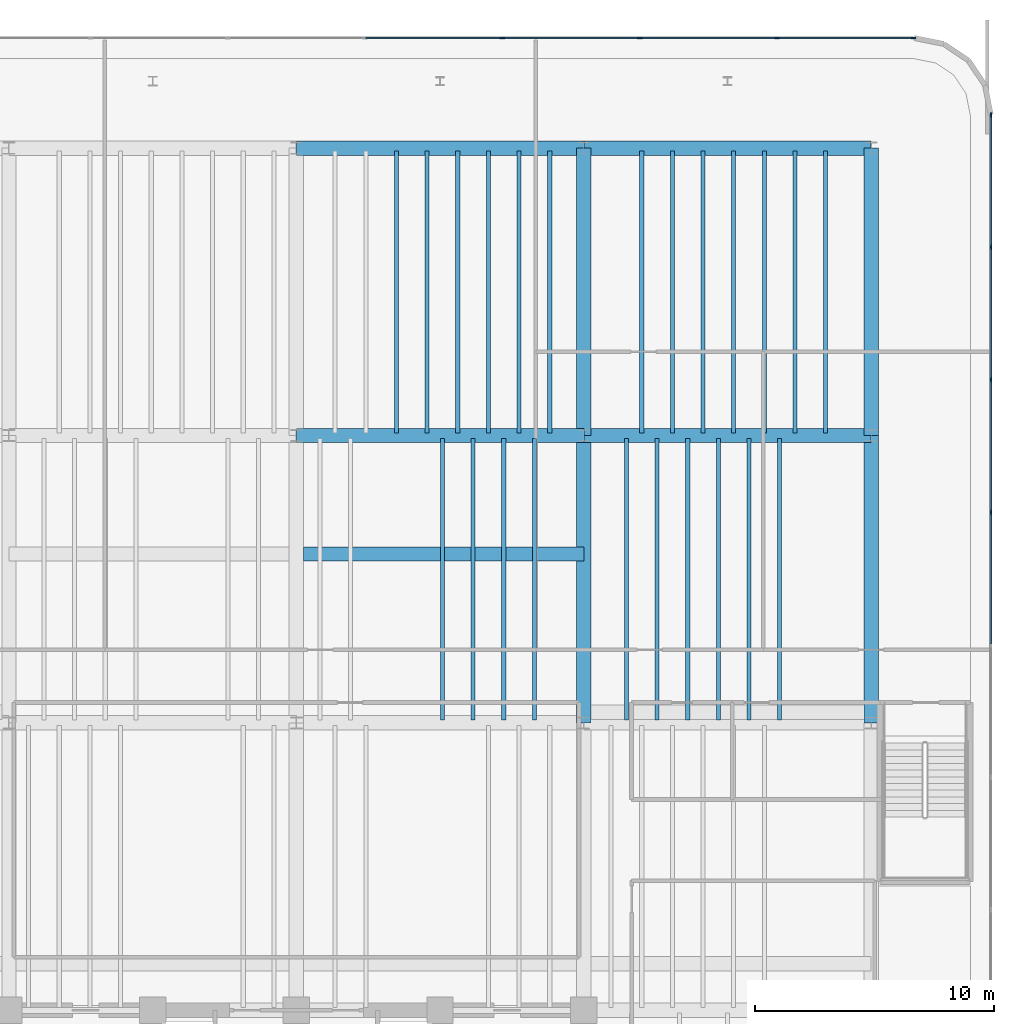
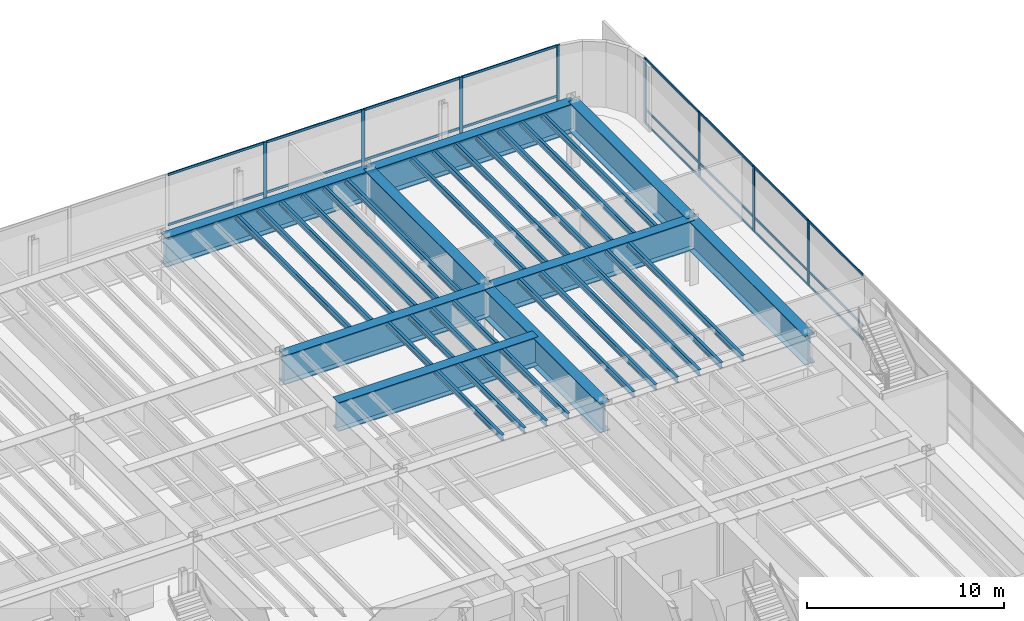
# One storey, part 10 of 19: 32 beams, 32 members, 2 elements without a shape of their own.
"""IFC4 building model written with IfcOpenShell, lengths in metres."""

from ifc_helpers import new_model, si_unit, direction, frame, origin, origin_2d, place, context, subcontext, project, spatial, rectangle, i_section, extrude, source, transform, mapped, material, layer, layer_set, material_profile, profile_set, type_object, element, aggregate, save


model = new_model("IFC4")

# Units and contexts
model_context = context("Model", 3, precision=1e-05, world=origin(), true_north=direction((0.0, 1.0)))
body_context = subcontext(model_context, "Body", "Model", "MODEL_VIEW")
ifc_project = project(units=[si_unit("LENGTHUNIT", "METRE"), si_unit("AREAUNIT", "SQUARE_METRE"), si_unit("VOLUMEUNIT", "CUBIC_METRE"), si_unit("PLANEANGLEUNIT", "RADIAN"), si_unit("MASSUNIT", "GRAM", prefix="KILO")], contexts=[model_context])

# Site, building, storey
site_placement = place(None, origin())
site = spatial("IfcSite", under=ifc_project, at=site_placement, CompositionType="ELEMENT")
building_placement = place(site_placement, origin())
building = spatial("IfcBuilding", under=site, at=building_placement, Name="Brelvock Crest Care Tower", CompositionType="ELEMENT")
storey_placement = place(building_placement, frame((0.0, 0.0, 18.360107421875)))
storey = spatial("IfcBuildingStorey", under=building, at=storey_placement, Name="L04", CompositionType="ELEMENT", Elevation=18.360107421875)

# Beams
ifc_material_1 = material(Name="Steel Grade 350", Category="steel")
ifc_material_profile_1 = material_profile(ifc_material_1, i_section(OverallWidth=0.172119140625, OverallDepth=0.35888671875, WebThickness=0.008056640625, FlangeThickness=0.012939453125, FilletRadius=0.011474609375, at=origin_2d()), Name="360UB56.7")
ifc_profile_set_1 = profile_set([ifc_material_profile_1], Name="Steel Grade 350")
beam_type_1 = type_object("IfcBeamType", Name="BM-J1", PredefinedType="JOIST", material=ifc_profile_set_1)
shared_shape_1 = source(origin(), body_context, "Body", "SweptSolid", [
    extrude(i_section(OverallWidth=0.172119140625, OverallDepth=0.35888671875, WebThickness=0.008056640625, FlangeThickness=0.012939453125, FilletRadius=0.011474609375, at=origin_2d()), origin(), (0.0, 0.0, 1.0), 11.77001953125),
])
for number, where, z_axis, x_axis, name in (
    (1, (40.179931640625, 42.114990234375, 3.8603515625), (0.0, 1.0, 0.0), (-1.0, 0.0, 0.0), "BM-PODJ-L04-4018-42"),
    (2, (42.10009765625, 30.114990234375, 3.8603515625), (0.0, 1.0, 0.0), (-1.0, 0.0, 0.0), "BM-PODJ-L04-4210-30"),
    (3, (41.4599609375, 42.114990234375, 3.8603515625), (0.0, 1.0, 0.0), (-1.0, 0.0, 0.0), "BM-PODJ-L04-4146-42"),
    (4, (43.3798828125, 30.114990234375, 3.8603515625), (0.0, 1.0, 0.0), (-1.0, 0.0, 0.0), "BM-PODJ-L04-4338-30"),
    (5, (42.739990234375, 42.114990234375, 3.8603515625), (0.0, 1.0, 0.0), (-1.0, 0.0, 0.0), "BM-PODJ-L04-4274-42"),
    (6, (44.659912109375, 30.114990234375, 3.8603515625), (0.0, 1.0, 0.0), (-1.0, 0.0, 0.0), "BM-PODJ-L04-4466-30"),
    (7, (44.02001953125, 42.114990234375, 3.8603515625), (0.0, 1.0, 0.0), (-1.0, 0.0, 0.0), "BM-PODJ-L04-4402-42"),
    (8, (45.93994140625, 30.114990234375, 3.8603515625), (0.0, 1.0, 0.0), (-1.0, 0.0, 0.0), "BM-PODJ-L04-4594-30"),
    (9, (45.300048828125, 42.114990234375, 3.8603515625), (0.0, 1.0, 0.0), (-1.0, 0.0, 0.0), "BM-PODJ-L04-4530-42"),
    (10, (46.580078125, 42.114990234375, 3.8603515625), (0.0, 1.0, 0.0), (-1.0, 0.0, 0.0), "BM-PODJ-L04-4658-42"),
    (11, (49.780029296875, 30.114990234375, 3.8603515625), (0.0, 1.0, 0.0), (-1.0, 0.0, 0.0), "BM-PODJ-L04-4978-30"),
    (12, (51.06005859375, 30.114990234375, 3.8603515625), (0.0, 1.0, 0.0), (-1.0, 0.0, 0.0), "BM-PODJ-L04-5106-30"),
    (13, (50.419921875, 42.114990234375, 3.8603515625), (0.0, 1.0, 0.0), (-1.0, 0.0, 0.0), "BM-PODJ-L04-5042-42"),
    (14, (52.340087890625, 30.114990234375, 3.8603515625), (0.0, 1.0, 0.0), (-1.0, 0.0, 0.0), "BM-PODJ-L04-5234-30"),
    (15, (51.699951171875, 42.114990234375, 3.8603515625), (0.0, 1.0, 0.0), (-1.0, 0.0, 0.0), "BM-PODJ-L04-5170-42"),
    (16, (53.6201171875, 30.114990234375, 3.8603515625), (0.0, 1.0, 0.0), (-1.0, 0.0, 0.0), "BM-PODJ-L04-5362-30"),
    (17, (52.97998046875, 42.114990234375, 3.8603515625), (0.0, 1.0, 0.0), (-1.0, 0.0, 0.0), "BM-PODJ-L04-5298-42"),
    (18, (54.89990234375, 30.114990234375, 3.8603515625), (0.0, 1.0, 0.0), (-1.0, 0.0, 0.0), "BM-PODJ-L04-5490-30"),
    (19, (54.260009765625, 42.114990234375, 3.8603515625), (0.0, 1.0, 0.0), (-1.0, 0.0, 0.0), "BM-PODJ-L04-5426-42"),
    (20, (56.179931640625, 30.114990234375, 3.8603515625), (0.0, 1.0, 0.0), (-1.0, 0.0, 0.0), "BM-PODJ-L04-5618-30"),
    (21, (55.5400390625, 42.114990234375, 3.8603515625), (0.0, 1.0, 0.0), (-1.0, 0.0, 0.0), "BM-PODJ-L04-5554-42"),
    (22, (56.820068359375, 42.114990234375, 3.8603515625), (0.0, 1.0, 0.0), (-1.0, 0.0, 0.0), "BM-PODJ-L04-5682-42"),
    (23, (58.10009765625, 42.114990234375, 3.8603515625), (0.0, 1.0, 0.0), (-1.0, 0.0, 0.0), "BM-PODJ-L04-5810-42"),
):
    element("IfcBeam", number, at=place(storey_placement, frame(where, z_axis=z_axis, x_axis=x_axis)), inside=storey, type_object=beam_type_1, Name=name, PredefinedType="JOIST", context=body_context, shape_type="MappedRepresentation", body=[
        mapped(shared_shape_1, transform((0.0, 0.0, 0.0), x_axis=(1.0, 0.0, 0.0), y_axis=(0.0, 1.0, 0.0), z_axis=(0.0, 0.0, 1.0), scale=1.0)),
    ])
ifc_material_profile_2 = material_profile(ifc_material_1, i_section(OverallWidth=0.60009765625, OverallDepth=1.800048828125, WebThickness=0.028076171875, FlangeThickness=0.052001953125, at=origin_2d()), Name="1800TG740")
ifc_profile_set_2 = profile_set([ifc_material_profile_2], Name="Steel Grade 350")
beam_type_2 = type_object("IfcBeamType", Name="BM-TG1", PredefinedType="USERDEFINED", material=ifc_profile_set_2)
shared_shape_2 = source(origin(), body_context, "Body", "SweptSolid", [
    extrude(i_section(OverallWidth=0.60009765625, OverallDepth=1.800048828125, WebThickness=0.028076171875, FlangeThickness=0.052001953125, at=origin_2d()), origin(), (0.0, 0.0, 1.0), 12.0),
])
for number, where, z_axis, x_axis, name in (
    (24, (36.0, 42.0, 3.139892578125), (1.0, 0.0, 0.0), (0.0, 1.0, 0.0), "BM-PODX-L04-42-36"),
    (25, (48.0, 42.0, 3.139892578125), (1.0, 0.0, 0.0), (0.0, 1.0, 0.0), "BM-PODX-L04-42-48"),
    (26, (36.0, 54.0, 3.139892578125), (1.0, 0.0, 0.0), (0.0, 1.0, 0.0), "BM-PODX-L04-54-36"),
    (27, (48.0, 54.0, 3.139892578125), (1.0, 0.0, 0.0), (0.0, 1.0, 0.0), "BM-PODX-L04-54-48"),
    (28, (48.0, 30.0, 3.139892578125), (0.0, 1.0, 0.0), (-1.0, 0.0, 0.0), "BM-PODY-L04-48-30"),
    (29, (48.0, 42.0, 3.139892578125), (0.0, 1.0, 0.0), (-1.0, 0.0, 0.0), "BM-PODY-L04-48-42"),
    (30, (60.0, 30.0, 3.139892578125), (0.0, 1.0, 0.0), (-1.0, 0.0, 0.0), "BM-PODY-L04-60-30"),
    (31, (60.0, 42.0, 3.139892578125), (0.0, 1.0, 0.0), (-1.0, 0.0, 0.0), "BM-PODY-L04-60-42"),
):
    element("IfcBeam", number, at=place(storey_placement, frame(where, z_axis=z_axis, x_axis=x_axis)), inside=storey, type_object=beam_type_2, Name=name, ObjectType="GIRDER", PredefinedType="USERDEFINED", context=body_context, shape_type="MappedRepresentation", body=[
        mapped(shared_shape_2, transform((0.0, 0.0, 0.0), x_axis=(1.0, 0.0, 0.0), y_axis=(0.0, 1.0, 0.0), z_axis=(0.0, 0.0, 1.0), scale=1.0)),
    ])
shared_shape_3 = source(origin(), body_context, "Body", "SweptSolid", [
    extrude(i_section(OverallWidth=0.60009765625, OverallDepth=1.800048828125, WebThickness=0.028076171875, FlangeThickness=0.052001953125, at=origin_2d()), origin(), (0.0, 0.0, 1.0), 11.699951171875),
])
beam_placement = place(storey_placement, frame((36.300048828125, 37.050048828125, 3.139892578125), z_axis=(1.0, 0.0, 0.0), x_axis=(0.0, 1.0, 0.0)))
element("IfcBeam", 32, at=beam_placement, inside=storey, type_object=beam_type_2, Name="BM-TG04-Y37-E", ObjectType="GIRDER", PredefinedType="USERDEFINED", context=body_context, shape_type="MappedRepresentation", body=[
    mapped(shared_shape_3, transform((0.0, 0.0, 0.0), x_axis=(1.0, 0.0, 0.0), y_axis=(0.0, 1.0, 0.0), z_axis=(0.0, 0.0, 1.0), scale=1.0)),
])

# Curtain wall, members
ifc_material_2 = material(Name="Dark Glass Double Glazed Low-E", Category="glass")
ifc_layer = layer(ifc_material_2, 0.179931640625, Name="CWS-1")
ifc_layer_set = layer_set([ifc_layer], Name="Dark Glass Double Glazed Low-E")
curtain_wall_type = type_object("IfcCurtainWallType", Name="CWS-1", PredefinedType="NOTDEFINED", material=ifc_layer_set)
curtain_wall_1_placement = place(storey_placement, origin())
curtain_wall_1 = element("IfcCurtainWall", 33, at=curtain_wall_1_placement, inside=storey, type_object=curtain_wall_type, Name="L04 Curtain Wall E14", PredefinedType="NOTDEFINED")
ifc_material_3 = material(Name="Aluminium 6063-T6", Category="aluminium")
ifc_material_profile_3 = material_profile(ifc_material_3, rectangle(XDim=0.06494140625, YDim=0.14990234375, at=origin_2d()), Name="ALU65x150")
ifc_profile_set_3 = profile_set([ifc_material_profile_3], Name="Aluminium 6063-T6")
member_type_1 = type_object("IfcMemberType", Name="CWT-1", PredefinedType="USERDEFINED", material=ifc_profile_set_3)
shared_shape_4 = source(origin(), body_context, "Body", "SweptSolid", [
    extrude(rectangle(XDim=0.06494140625, YDim=0.14990234375, at=origin_2d()), origin(), (0.0, 0.0, 1.0), 5.435791015625),
])
member_1_placement = place(storey_placement, frame((65.0, 55.3349609375, 0.032470703125), z_axis=(0.0, -1.0, 0.0), x_axis=(1.0, 0.0, 0.0)))
member_1 = element("IfcMember", 34, at=member_1_placement, type_object=member_type_1, Name="CW-1 transom 1.1", ObjectType="TRANSOM", PredefinedType="USERDEFINED", context=body_context, shape_type="MappedRepresentation", body=[
    mapped(shared_shape_4, transform((0.0, 0.0, 0.0), x_axis=(1.0, 0.0, 0.0), y_axis=(0.0, 1.0, 0.0), z_axis=(0.0, 0.0, 1.0), scale=1.0)),
])
member_2_placement = place(storey_placement, frame((65.0, 55.3349609375, 0.89990234375), z_axis=(0.0, -1.0, 0.0), x_axis=(1.0, 0.0, 0.0)))
member_2 = element("IfcMember", 35, at=member_2_placement, type_object=member_type_1, Name="CW-1 transom 1.2", ObjectType="TRANSOM", PredefinedType="USERDEFINED", context=body_context, shape_type="MappedRepresentation", body=[
    mapped(shared_shape_4, transform((0.0, 0.0, 0.0), x_axis=(1.0, 0.0, 0.0), y_axis=(0.0, 1.0, 0.0), z_axis=(0.0, 0.0, 1.0), scale=1.0)),
])
member_3_placement = place(storey_placement, frame((65.0, 55.3349609375, 4.00732421875), z_axis=(0.0, -1.0, 0.0), x_axis=(1.0, 0.0, 0.0)))
member_3 = element("IfcMember", 36, at=member_3_placement, type_object=member_type_1, Name="CW-1 transom 1.3", ObjectType="TRANSOM", PredefinedType="USERDEFINED", context=body_context, shape_type="MappedRepresentation", body=[
    mapped(shared_shape_4, transform((0.0, 0.0, 0.0), x_axis=(1.0, 0.0, 0.0), y_axis=(0.0, 1.0, 0.0), z_axis=(0.0, 0.0, 1.0), scale=1.0)),
])
shared_shape_5 = source(origin(), body_context, "Body", "SweptSolid", [
    extrude(rectangle(XDim=0.06494140625, YDim=0.14990234375, at=origin_2d()), origin(), (0.0, 0.0, 1.0), 5.468505859375),
])
member_4_placement = place(storey_placement, frame((65.0, 49.834228515625, 0.032470703125), z_axis=(0.0, -1.0, 0.0), x_axis=(1.0, 0.0, 0.0)))
member_4 = element("IfcMember", 37, at=member_4_placement, type_object=member_type_1, Name="CW-1 transom 2.1", ObjectType="TRANSOM", PredefinedType="USERDEFINED", context=body_context, shape_type="MappedRepresentation", body=[
    mapped(shared_shape_5, transform((0.0, 0.0, 0.0), x_axis=(1.0, 0.0, 0.0), y_axis=(0.0, 1.0, 0.0), z_axis=(0.0, 0.0, 1.0), scale=1.0)),
])
member_5_placement = place(storey_placement, frame((65.0, 49.834228515625, 0.89990234375), z_axis=(0.0, -1.0, 0.0), x_axis=(1.0, 0.0, 0.0)))
member_5 = element("IfcMember", 38, at=member_5_placement, type_object=member_type_1, Name="CW-1 transom 2.2", ObjectType="TRANSOM", PredefinedType="USERDEFINED", context=body_context, shape_type="MappedRepresentation", body=[
    mapped(shared_shape_5, transform((0.0, 0.0, 0.0), x_axis=(1.0, 0.0, 0.0), y_axis=(0.0, 1.0, 0.0), z_axis=(0.0, 0.0, 1.0), scale=1.0)),
])
member_6_placement = place(storey_placement, frame((65.0, 49.834228515625, 4.00732421875), z_axis=(0.0, -1.0, 0.0), x_axis=(1.0, 0.0, 0.0)))
member_6 = element("IfcMember", 39, at=member_6_placement, type_object=member_type_1, Name="CW-1 transom 2.3", ObjectType="TRANSOM", PredefinedType="USERDEFINED", context=body_context, shape_type="MappedRepresentation", body=[
    mapped(shared_shape_5, transform((0.0, 0.0, 0.0), x_axis=(1.0, 0.0, 0.0), y_axis=(0.0, 1.0, 0.0), z_axis=(0.0, 0.0, 1.0), scale=1.0)),
])
member_7_placement = place(storey_placement, frame((65.0, 38.767578125, 0.032470703125), z_axis=(0.0, -1.0, 0.0), x_axis=(1.0, 0.0, 0.0)))
member_7 = element("IfcMember", 40, at=member_7_placement, type_object=member_type_1, Name="CW-1 transom 4.1", ObjectType="TRANSOM", PredefinedType="USERDEFINED", context=body_context, shape_type="MappedRepresentation", body=[
    mapped(shared_shape_5, transform((0.0, 0.0, 0.0), x_axis=(1.0, 0.0, 0.0), y_axis=(0.0, 1.0, 0.0), z_axis=(0.0, 0.0, 1.0), scale=1.0)),
])
member_8_placement = place(storey_placement, frame((65.0, 38.767578125, 0.89990234375), z_axis=(0.0, -1.0, 0.0), x_axis=(1.0, 0.0, 0.0)))
member_8 = element("IfcMember", 41, at=member_8_placement, type_object=member_type_1, Name="CW-1 transom 4.2", ObjectType="TRANSOM", PredefinedType="USERDEFINED", context=body_context, shape_type="MappedRepresentation", body=[
    mapped(shared_shape_5, transform((0.0, 0.0, 0.0), x_axis=(1.0, 0.0, 0.0), y_axis=(0.0, 1.0, 0.0), z_axis=(0.0, 0.0, 1.0), scale=1.0)),
])
member_9_placement = place(storey_placement, frame((65.0, 38.767578125, 4.00732421875), z_axis=(0.0, -1.0, 0.0), x_axis=(1.0, 0.0, 0.0)))
member_9 = element("IfcMember", 42, at=member_9_placement, type_object=member_type_1, Name="CW-1 transom 4.3", ObjectType="TRANSOM", PredefinedType="USERDEFINED", context=body_context, shape_type="MappedRepresentation", body=[
    mapped(shared_shape_5, transform((0.0, 0.0, 0.0), x_axis=(1.0, 0.0, 0.0), y_axis=(0.0, 1.0, 0.0), z_axis=(0.0, 0.0, 1.0), scale=1.0)),
])
shared_shape_6 = source(origin(), body_context, "Body", "SweptSolid", [
    extrude(rectangle(XDim=0.06494140625, YDim=0.14990234375, at=origin_2d()), origin(), (0.0, 0.0, 1.0), 5.46826171875),
])
member_10_placement = place(storey_placement, frame((65.0, 44.30078125, 0.032470703125), z_axis=(0.0, -1.0, 0.0), x_axis=(1.0, 0.0, 0.0)))
member_10 = element("IfcMember", 43, at=member_10_placement, type_object=member_type_1, Name="CW-1 transom 3.1", ObjectType="TRANSOM", PredefinedType="USERDEFINED", context=body_context, shape_type="MappedRepresentation", body=[
    mapped(shared_shape_6, transform((0.0, 0.0, 0.0), x_axis=(1.0, 0.0, 0.0), y_axis=(0.0, 1.0, 0.0), z_axis=(0.0, 0.0, 1.0), scale=1.0)),
])
member_11_placement = place(storey_placement, frame((65.0, 44.30078125, 0.89990234375), z_axis=(0.0, -1.0, 0.0), x_axis=(1.0, 0.0, 0.0)))
member_11 = element("IfcMember", 44, at=member_11_placement, type_object=member_type_1, Name="CW-1 transom 3.2", ObjectType="TRANSOM", PredefinedType="USERDEFINED", context=body_context, shape_type="MappedRepresentation", body=[
    mapped(shared_shape_6, transform((0.0, 0.0, 0.0), x_axis=(1.0, 0.0, 0.0), y_axis=(0.0, 1.0, 0.0), z_axis=(0.0, 0.0, 1.0), scale=1.0)),
])
member_12_placement = place(storey_placement, frame((65.0, 44.30078125, 4.00732421875), z_axis=(0.0, -1.0, 0.0), x_axis=(1.0, 0.0, 0.0)))
member_12 = element("IfcMember", 45, at=member_12_placement, type_object=member_type_1, Name="CW-1 transom 3.3", ObjectType="TRANSOM", PredefinedType="USERDEFINED", context=body_context, shape_type="MappedRepresentation", body=[
    mapped(shared_shape_6, transform((0.0, 0.0, 0.0), x_axis=(1.0, 0.0, 0.0), y_axis=(0.0, 1.0, 0.0), z_axis=(0.0, 0.0, 1.0), scale=1.0)),
])

curtain_wall_2_placement = place(storey_placement, origin())
curtain_wall_2 = element("IfcCurtainWall", 46, at=curtain_wall_2_placement, inside=storey, type_object=curtain_wall_type, Name="L04 Curtain Wall E09", PredefinedType="NOTDEFINED")
shared_shape_7 = source(origin(), body_context, "Body", "SweptSolid", [
    extrude(rectangle(XDim=0.06494140625, YDim=0.14990234375, at=origin_2d()), origin(), (0.0, 0.0, 1.0), 5.635986328125),
])
member_13_placement = place(storey_placement, frame((56.09912109375, 58.60009765625, 0.032470703125), z_axis=(1.0, 0.0, 0.0), x_axis=(0.0, 1.0, 0.0)))
member_13 = element("IfcMember", 47, at=member_13_placement, type_object=member_type_1, Name="CW-1 transom 9.1", ObjectType="TRANSOM", PredefinedType="USERDEFINED", context=body_context, shape_type="MappedRepresentation", body=[
    mapped(shared_shape_7, transform((0.0, 0.0, 0.0), x_axis=(1.0, 0.0, 0.0), y_axis=(0.0, 1.0, 0.0), z_axis=(0.0, 0.0, 1.0), scale=1.0)),
])
member_14_placement = place(storey_placement, frame((56.09912109375, 58.60009765625, 0.89990234375), z_axis=(1.0, 0.0, 0.0), x_axis=(0.0, 1.0, 0.0)))
member_14 = element("IfcMember", 48, at=member_14_placement, type_object=member_type_1, Name="CW-1 transom 9.2", ObjectType="TRANSOM", PredefinedType="USERDEFINED", context=body_context, shape_type="MappedRepresentation", body=[
    mapped(shared_shape_7, transform((0.0, 0.0, 0.0), x_axis=(1.0, 0.0, 0.0), y_axis=(0.0, 1.0, 0.0), z_axis=(0.0, 0.0, 1.0), scale=1.0)),
])
member_15_placement = place(storey_placement, frame((56.09912109375, 58.60009765625, 4.00732421875), z_axis=(1.0, 0.0, 0.0), x_axis=(0.0, 1.0, 0.0)))
member_15 = element("IfcMember", 49, at=member_15_placement, type_object=member_type_1, Name="CW-1 transom 9.3", ObjectType="TRANSOM", PredefinedType="USERDEFINED", context=body_context, shape_type="MappedRepresentation", body=[
    mapped(shared_shape_7, transform((0.0, 0.0, 0.0), x_axis=(1.0, 0.0, 0.0), y_axis=(0.0, 1.0, 0.0), z_axis=(0.0, 0.0, 1.0), scale=1.0)),
])
shared_shape_8 = source(origin(), body_context, "Body", "SweptSolid", [
    extrude(rectangle(XDim=0.06494140625, YDim=0.14990234375, at=origin_2d()), origin(), (0.0, 0.0, 1.0), 5.66845703125),
])
member_16_placement = place(storey_placement, frame((50.36572265625, 58.60009765625, 0.032470703125), z_axis=(1.0, 0.0, 0.0), x_axis=(0.0, 1.0, 0.0)))
member_16 = element("IfcMember", 50, at=member_16_placement, type_object=member_type_1, Name="CW-1 transom 8.1", ObjectType="TRANSOM", PredefinedType="USERDEFINED", context=body_context, shape_type="MappedRepresentation", body=[
    mapped(shared_shape_8, transform((0.0, 0.0, 0.0), x_axis=(1.0, 0.0, 0.0), y_axis=(0.0, 1.0, 0.0), z_axis=(0.0, 0.0, 1.0), scale=1.0)),
])
member_17_placement = place(storey_placement, frame((50.36572265625, 58.60009765625, 0.89990234375), z_axis=(1.0, 0.0, 0.0), x_axis=(0.0, 1.0, 0.0)))
member_17 = element("IfcMember", 51, at=member_17_placement, type_object=member_type_1, Name="CW-1 transom 8.2", ObjectType="TRANSOM", PredefinedType="USERDEFINED", context=body_context, shape_type="MappedRepresentation", body=[
    mapped(shared_shape_8, transform((0.0, 0.0, 0.0), x_axis=(1.0, 0.0, 0.0), y_axis=(0.0, 1.0, 0.0), z_axis=(0.0, 0.0, 1.0), scale=1.0)),
])
member_18_placement = place(storey_placement, frame((50.36572265625, 58.60009765625, 4.00732421875), z_axis=(1.0, 0.0, 0.0), x_axis=(0.0, 1.0, 0.0)))
member_18 = element("IfcMember", 52, at=member_18_placement, type_object=member_type_1, Name="CW-1 transom 8.3", ObjectType="TRANSOM", PredefinedType="USERDEFINED", context=body_context, shape_type="MappedRepresentation", body=[
    mapped(shared_shape_8, transform((0.0, 0.0, 0.0), x_axis=(1.0, 0.0, 0.0), y_axis=(0.0, 1.0, 0.0), z_axis=(0.0, 0.0, 1.0), scale=1.0)),
])
shared_shape_9 = source(origin(), body_context, "Body", "SweptSolid", [
    extrude(rectangle(XDim=0.06494140625, YDim=0.14990234375, at=origin_2d()), origin(), (0.0, 0.0, 1.0), 5.668212890625),
])
member_19_placement = place(storey_placement, frame((38.899169921875, 58.60009765625, 0.032470703125), z_axis=(1.0, 0.0, 0.0), x_axis=(0.0, 1.0, 0.0)))
member_19 = element("IfcMember", 53, at=member_19_placement, type_object=member_type_1, Name="CW-1 transom 6.1", ObjectType="TRANSOM", PredefinedType="USERDEFINED", context=body_context, shape_type="MappedRepresentation", body=[
    mapped(shared_shape_9, transform((0.0, 0.0, 0.0), x_axis=(1.0, 0.0, 0.0), y_axis=(0.0, 1.0, 0.0), z_axis=(0.0, 0.0, 1.0), scale=1.0)),
])
member_20_placement = place(storey_placement, frame((38.899169921875, 58.60009765625, 0.89990234375), z_axis=(1.0, 0.0, 0.0), x_axis=(0.0, 1.0, 0.0)))
member_20 = element("IfcMember", 54, at=member_20_placement, type_object=member_type_1, Name="CW-1 transom 6.2", ObjectType="TRANSOM", PredefinedType="USERDEFINED", context=body_context, shape_type="MappedRepresentation", body=[
    mapped(shared_shape_9, transform((0.0, 0.0, 0.0), x_axis=(1.0, 0.0, 0.0), y_axis=(0.0, 1.0, 0.0), z_axis=(0.0, 0.0, 1.0), scale=1.0)),
])
member_21_placement = place(storey_placement, frame((38.899169921875, 58.60009765625, 4.00732421875), z_axis=(1.0, 0.0, 0.0), x_axis=(0.0, 1.0, 0.0)))
member_21 = element("IfcMember", 55, at=member_21_placement, type_object=member_type_1, Name="CW-1 transom 6.3", ObjectType="TRANSOM", PredefinedType="USERDEFINED", context=body_context, shape_type="MappedRepresentation", body=[
    mapped(shared_shape_9, transform((0.0, 0.0, 0.0), x_axis=(1.0, 0.0, 0.0), y_axis=(0.0, 1.0, 0.0), z_axis=(0.0, 0.0, 1.0), scale=1.0)),
])
member_22_placement = place(storey_placement, frame((44.632568359375, 58.60009765625, 0.032470703125), z_axis=(1.0, 0.0, 0.0), x_axis=(0.0, 1.0, 0.0)))
member_22 = element("IfcMember", 56, at=member_22_placement, type_object=member_type_1, Name="CW-1 transom 7.1", ObjectType="TRANSOM", PredefinedType="USERDEFINED", context=body_context, shape_type="MappedRepresentation", body=[
    mapped(shared_shape_9, transform((0.0, 0.0, 0.0), x_axis=(1.0, 0.0, 0.0), y_axis=(0.0, 1.0, 0.0), z_axis=(0.0, 0.0, 1.0), scale=1.0)),
])
member_23_placement = place(storey_placement, frame((44.632568359375, 58.60009765625, 0.89990234375), z_axis=(1.0, 0.0, 0.0), x_axis=(0.0, 1.0, 0.0)))
member_23 = element("IfcMember", 57, at=member_23_placement, type_object=member_type_1, Name="CW-1 transom 7.2", ObjectType="TRANSOM", PredefinedType="USERDEFINED", context=body_context, shape_type="MappedRepresentation", body=[
    mapped(shared_shape_9, transform((0.0, 0.0, 0.0), x_axis=(1.0, 0.0, 0.0), y_axis=(0.0, 1.0, 0.0), z_axis=(0.0, 0.0, 1.0), scale=1.0)),
])
member_24_placement = place(storey_placement, frame((44.632568359375, 58.60009765625, 4.00732421875), z_axis=(1.0, 0.0, 0.0), x_axis=(0.0, 1.0, 0.0)))
member_24 = element("IfcMember", 58, at=member_24_placement, type_object=member_type_1, Name="CW-1 transom 7.3", ObjectType="TRANSOM", PredefinedType="USERDEFINED", context=body_context, shape_type="MappedRepresentation", body=[
    mapped(shared_shape_9, transform((0.0, 0.0, 0.0), x_axis=(1.0, 0.0, 0.0), y_axis=(0.0, 1.0, 0.0), z_axis=(0.0, 0.0, 1.0), scale=1.0)),
])
ifc_material_profile_4 = material_profile(ifc_material_3, rectangle(XDim=0.06494140625, YDim=0.199951171875, at=origin_2d()), Name="ALU65x200")
ifc_profile_set_4 = profile_set([ifc_material_profile_4], Name="Aluminium 6063-T6")
member_type_2 = type_object("IfcMemberType", Name="CWM-1", PredefinedType="MULLION", material=ifc_profile_set_4)
shared_shape_10 = source(origin(), body_context, "Body", "SweptSolid", [
    extrude(rectangle(XDim=0.06494140625, YDim=0.199951171875, at=origin_2d()), origin(), (0.0, 0.0, 1.0), 4.039794921875),
])
member_25_placement = place(storey_placement, frame((44.60009765625, 58.60009765625, 0.0), z_axis=(0.0, 0.0, 1.0), x_axis=(0.0, 1.0, 0.0)))
member_25 = element("IfcMember", 59, at=member_25_placement, type_object=member_type_2, Name="CW-1 mullion 7", PredefinedType="MULLION", context=body_context, shape_type="MappedRepresentation", body=[
    mapped(shared_shape_10, transform((0.0, 0.0, 0.0), x_axis=(1.0, 0.0, 0.0), y_axis=(0.0, 1.0, 0.0), z_axis=(0.0, 0.0, 1.0), scale=1.0)),
])
member_26_placement = place(storey_placement, frame((50.333251953125, 58.60009765625, 0.0), z_axis=(0.0, 0.0, 1.0), x_axis=(0.0, 1.0, 0.0)))
member_26 = element("IfcMember", 60, at=member_26_placement, type_object=member_type_2, Name="CW-1 mullion 8", PredefinedType="MULLION", context=body_context, shape_type="MappedRepresentation", body=[
    mapped(shared_shape_10, transform((0.0, 0.0, 0.0), x_axis=(1.0, 0.0, 0.0), y_axis=(0.0, 1.0, 0.0), z_axis=(0.0, 0.0, 1.0), scale=1.0)),
])
member_27_placement = place(storey_placement, frame((56.066650390625, 58.60009765625, 0.0), z_axis=(0.0, 0.0, 1.0), x_axis=(0.0, 1.0, 0.0)))
member_27 = element("IfcMember", 61, at=member_27_placement, type_object=member_type_2, Name="CW-1 mullion 9", PredefinedType="MULLION", context=body_context, shape_type="MappedRepresentation", body=[
    mapped(shared_shape_10, transform((0.0, 0.0, 0.0), x_axis=(1.0, 0.0, 0.0), y_axis=(0.0, 1.0, 0.0), z_axis=(0.0, 0.0, 1.0), scale=1.0)),
])
member_28_placement = place(storey_placement, frame((61.767578125, 58.60009765625, 0.0), z_axis=(0.0, 0.0, 1.0), x_axis=(0.0, 1.0, 0.0)))
member_28 = element("IfcMember", 62, at=member_28_placement, type_object=member_type_2, Name="CW-1 mullion 10", PredefinedType="MULLION", context=body_context, shape_type="MappedRepresentation", body=[
    mapped(shared_shape_10, transform((0.0, 0.0, 0.0), x_axis=(1.0, 0.0, 0.0), y_axis=(0.0, 1.0, 0.0), z_axis=(0.0, 0.0, 1.0), scale=1.0)),
])
aggregate(curtain_wall_2, [member_25, member_26, member_27, member_28, member_19, member_20, member_21, member_22, member_23, member_24, member_16, member_17, member_18, member_13, member_14, member_15])

# Member
member_29_placement = place(storey_placement, frame((65.0, 55.367431640625, 0.0), z_axis=(0.0, 0.0, 1.0), x_axis=(1.0, 0.0, 0.0)))
member_29 = element("IfcMember", 63, at=member_29_placement, type_object=member_type_2, Name="CW-1 mullion 1", PredefinedType="MULLION", context=body_context, shape_type="MappedRepresentation", body=[
    mapped(shared_shape_10, transform((0.0, 0.0, 0.0), x_axis=(1.0, 0.0, 0.0), y_axis=(0.0, 1.0, 0.0), z_axis=(0.0, 0.0, 1.0), scale=1.0)),
])

member_30_placement = place(storey_placement, frame((65.0, 49.86669921875, 0.0), z_axis=(0.0, 0.0, 1.0), x_axis=(1.0, 0.0, 0.0)))
member_30 = element("IfcMember", 64, at=member_30_placement, type_object=member_type_2, Name="CW-1 mullion 2", PredefinedType="MULLION", context=body_context, shape_type="MappedRepresentation", body=[
    mapped(shared_shape_10, transform((0.0, 0.0, 0.0), x_axis=(1.0, 0.0, 0.0), y_axis=(0.0, 1.0, 0.0), z_axis=(0.0, 0.0, 1.0), scale=1.0)),
])

member_31_placement = place(storey_placement, frame((65.0, 44.333251953125, 0.0), z_axis=(0.0, 0.0, 1.0), x_axis=(1.0, 0.0, 0.0)))
member_31 = element("IfcMember", 65, at=member_31_placement, type_object=member_type_2, Name="CW-1 mullion 3", PredefinedType="MULLION", context=body_context, shape_type="MappedRepresentation", body=[
    mapped(shared_shape_10, transform((0.0, 0.0, 0.0), x_axis=(1.0, 0.0, 0.0), y_axis=(0.0, 1.0, 0.0), z_axis=(0.0, 0.0, 1.0), scale=1.0)),
])

member_32_placement = place(storey_placement, frame((65.0, 38.800048828125, 0.0), z_axis=(0.0, 0.0, 1.0), x_axis=(1.0, 0.0, 0.0)))
member_32 = element("IfcMember", 66, at=member_32_placement, type_object=member_type_2, Name="CW-1 mullion 4", PredefinedType="MULLION", context=body_context, shape_type="MappedRepresentation", body=[
    mapped(shared_shape_10, transform((0.0, 0.0, 0.0), x_axis=(1.0, 0.0, 0.0), y_axis=(0.0, 1.0, 0.0), z_axis=(0.0, 0.0, 1.0), scale=1.0)),
])

aggregate(curtain_wall_1, [member_29, member_30, member_31, member_32, member_1, member_2, member_3, member_4, member_5, member_6, member_10, member_11, member_12, member_7, member_8, member_9])

save(model, "model.ifc")
